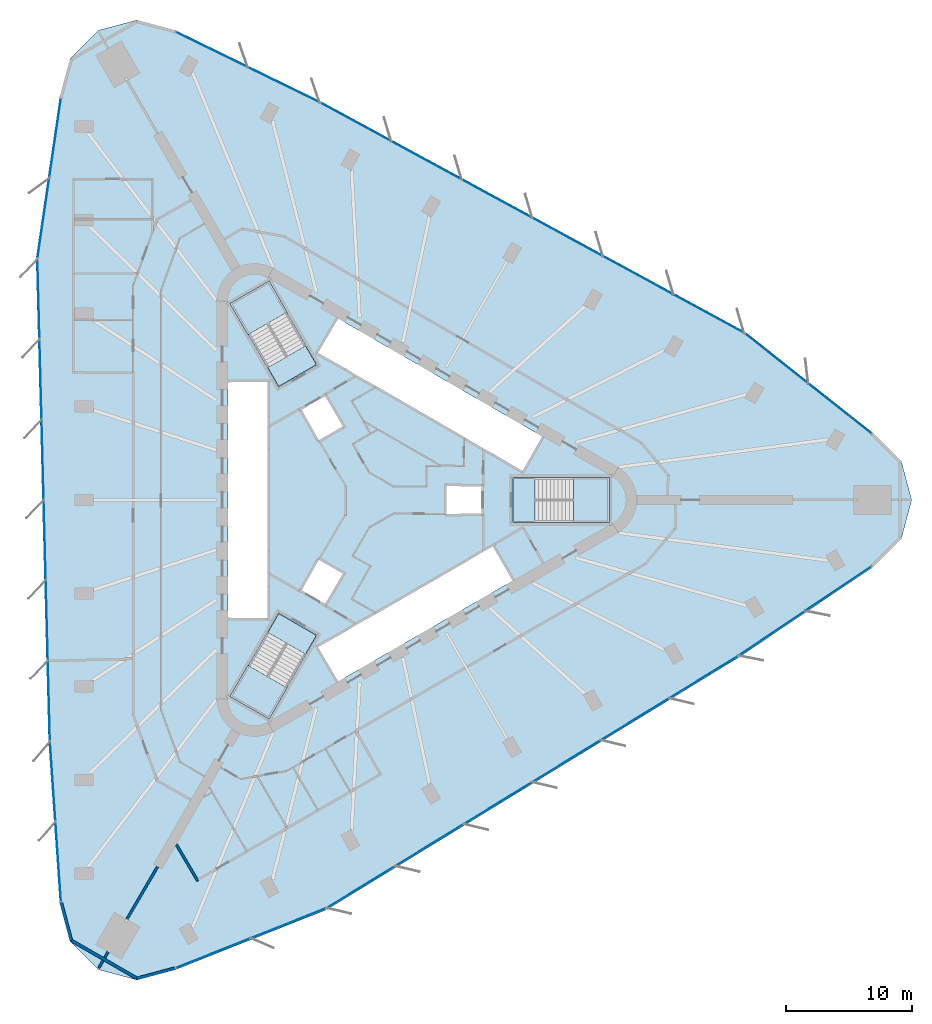
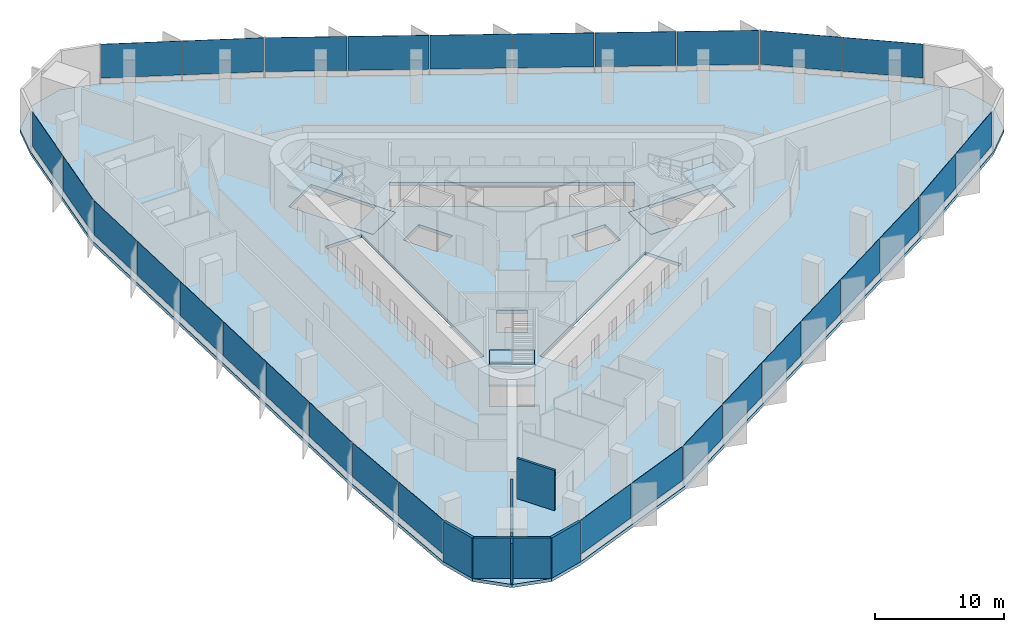
# One storey, part 7 of 14: 30 plates, 7 slabs, 7 walls, 12 elements without a shape of their own.
"""IFC4 building model written with IfcOpenShell, lengths in metres."""

import ifcopenshell
import ifcopenshell.guid

model = None  # the IFC model being written
_history = None  # IfcOwnerHistory: only IFC2X3 demands one
_inside = {}  # id of a spatial element -> (the spatial element, [elements in it])
_under = {}  # id of a project, library or spatial element -> (it, [spatial elements below it])
_declared = {}  # id of a project -> (the project, [libraries it declares])
_typed = {}  # id of a type object -> (the type object, [elements of that type])
_made_of = {}  # id of a material, layer set ... -> (it, [elements and type objects made of it])


def new_model(schema):
    """Start an empty IFC model of exactly this schema.

    Asked for "IFC4X3", IfcOpenShell would pick the latest addendum, in which some entities
    have other attributes; the version numbers below select the first issue.
    IFC2X3 requires an IfcOwnerHistory on every rooted entity: one is made here for all.
    """
    global model, _history
    if schema == "IFC4X3":
        model = ifcopenshell.file(schema_version=(4, 3, 0, 0))
    else:
        model = ifcopenshell.file(schema=schema)
    _inside.clear()
    _under.clear()
    _declared.clear()
    _typed.clear()
    _made_of.clear()
    _history = None
    if model.schema == "IFC2X3":
        org = make("IfcOrganization", Name="unknown")
        user = make(
            "IfcPersonAndOrganization",
            ThePerson=make("IfcPerson", FamilyName="unknown"),
            TheOrganization=org,
        )
        app = make(
            "IfcApplication",
            ApplicationDeveloper=org,
            Version="unknown",
            ApplicationFullName="unknown",
            ApplicationIdentifier="unknown",
        )
        _history = make(
            "IfcOwnerHistory",
            OwningUser=user,
            OwningApplication=app,
            ChangeAction="ADDED",
            CreationDate=0,
        )
    return model


def make(cls, **values):
    """One entity of the class cls with the attributes given. An attribute that is None is left unset."""
    return model.create_entity(
        cls, **{name: value for name, value in values.items() if value is not None}
    )


def rooted(cls, **values):
    """An entity with a GlobalId (a new one), such as an element, a storey or a relation."""
    return make(cls, GlobalId=ifcopenshell.guid.new(), OwnerHistory=_history, **values)


def si_unit(unit_type, name, prefix=None):
    """IfcSIUnit, for example si_unit("LENGTHUNIT", "METRE", prefix="MILLI")."""
    return make("IfcSIUnit", UnitType=unit_type, Prefix=prefix, Name=name)


def assignment(units):
    """IfcUnitAssignment: the units of a project."""
    return None if units is None else make("IfcUnitAssignment", Units=units)


def point(xyz):
    """IfcCartesianPoint."""
    return None if xyz is None else make("IfcCartesianPoint", Coordinates=xyz)


def direction(xyz):
    """IfcDirection."""
    return None if xyz is None else make("IfcDirection", DirectionRatios=xyz)


def frame(location, z_axis=None, x_axis=None):
    """IfcAxis2Placement3D, a coordinate frame: its origin and axes. An axis left out is left unset."""
    return make(
        "IfcAxis2Placement3D",
        Location=point(location),
        Axis=direction(z_axis),
        RefDirection=direction(x_axis),
    )


def frame_2d(location, x_axis=None):
    """IfcAxis2Placement2D, a coordinate frame in the plane: its origin and x axis."""
    return make(
        "IfcAxis2Placement2D", Location=point(location), RefDirection=direction(x_axis)
    )


def origin():
    """The frame at (0, 0, 0) with its axes left unset."""
    return frame((0.0, 0.0, 0.0))


def origin_2d():
    """The frame at (0, 0) in the plane with its x axis left unset."""
    return frame_2d((0.0, 0.0))


def place(relative_to, where):
    """IfcLocalPlacement: puts the frame where relative to a parent placement (None: the world)."""
    return make(
        "IfcLocalPlacement", PlacementRelTo=relative_to, RelativePlacement=where
    )


def context(
    kind, dimensions, precision=None, world=None, true_north=None, identifier=None
):
    """IfcGeometricRepresentationContext, for example the 3D "Model" context."""
    return make(
        "IfcGeometricRepresentationContext",
        ContextIdentifier=identifier,
        ContextType=kind,
        CoordinateSpaceDimension=dimensions,
        Precision=precision,
        WorldCoordinateSystem=world,
        TrueNorth=true_north,
    )


def subcontext(parent, identifier, kind, view, scale=None):
    """IfcGeometricRepresentationSubContext, for example "Body" below "Model"."""
    return make(
        "IfcGeometricRepresentationSubContext",
        ContextIdentifier=identifier,
        ContextType=kind,
        ParentContext=parent,
        TargetScale=scale,
        TargetView=view,
    )


def project(units=None, contexts=None):
    """IfcProject with its units and contexts."""
    return rooted(
        "IfcProject",
        Name="project",
        RepresentationContexts=contexts,
        UnitsInContext=assignment(units),
    )


def spatial(cls, under=None, at=None, **own):
    """A site, building, storey or space (cls), placed at a placement, below another one or the project."""
    s = rooted(cls, ObjectPlacement=at, **own)
    if under is not None:
        _under.setdefault(under.id(), (under, []))[1].append(s)
    return s


def polyline(points):
    """IfcPolyline through the points."""
    return make("IfcPolyline", Points=[point(p) for p in points])


def profile(cls, at=None, kind="AREA", **sizes):
    """A parametric profile (cls). Its sizes go by their IFC names, for example OverallWidth=200.0."""
    return make(cls, ProfileType=kind, Position=at, **sizes)


def rectangle(**sizes):
    """IfcRectangleProfileDef."""
    return profile("IfcRectangleProfileDef", **sizes)


def outline(outer, holes=None, kind="AREA"):
    """IfcArbitraryClosedProfileDef: a profile drawn as a closed curve; with holes, ...WithVoids."""
    if holes is None:
        return make("IfcArbitraryClosedProfileDef", ProfileType=kind, OuterCurve=outer)
    return make(
        "IfcArbitraryProfileDefWithVoids",
        ProfileType=kind,
        OuterCurve=outer,
        InnerCurves=holes,
    )


def extrude(swept, where, along, depth):
    """IfcExtrudedAreaSolid: the profile swept, set in the frame where, extruded along a direction by depth."""
    return make(
        "IfcExtrudedAreaSolid",
        SweptArea=swept,
        Position=where,
        ExtrudedDirection=direction(along),
        Depth=depth,
    )


def shape(context_of_items, identifier, shape_type, items):
    """IfcShapeRepresentation: the items that make up one representation, for example the "Body"."""
    return make(
        "IfcShapeRepresentation",
        ContextOfItems=context_of_items,
        RepresentationIdentifier=identifier,
        RepresentationType=shape_type,
        Items=items,
    )


def material(Name=None, Category=None):
    """IfcMaterial."""
    return make("IfcMaterial", Name=Name, Category=Category)


def layer(
    of_material, thickness, ventilated=None, Name=None, Category=None, Priority=None
):
    """IfcMaterialLayer: one layer of a wall or slab, of a material (None: an air gap)."""
    return make(
        "IfcMaterialLayer",
        Material=of_material,
        LayerThickness=thickness,
        IsVentilated=ventilated,
        Name=Name,
        Category=Category,
        Priority=Priority,
    )


def layer_set(layers, Name=None):
    """IfcMaterialLayerSet."""
    return make("IfcMaterialLayerSet", MaterialLayers=layers, LayerSetName=Name)


def made_of(thing, what):
    """Note that an element or type object is made of a material, layer set ...; save() writes the relation."""
    if what is not None:
        _made_of.setdefault(what.id(), (what, []))[1].append(thing)
    return thing


def type_object(cls, material=None, **own):
    """A type object (cls), such as IfcWallType, which elements share."""
    return made_of(rooted(cls, **own), material)


def element(
    cls,
    number,
    at=None,
    inside=None,
    cuts=None,
    type_object=None,
    material=None,
    context=None,
    identifier="Body",
    shape_type=None,
    held_by="IfcProductDefinitionShape",
    body=None,
    shapes=None,
    **own,
):
    """One element of the class cls, such as IfcWall. Its Tag is "e" and its number.

    at: its placement. inside: the storey or other place that contains it. cuts: it is an
    opening in that element (IfcRelVoidsElement). A single representation is given by context,
    identifier, shape_type and body (its items); several are given by shapes. held_by: the class
    of the entity that holds the representations. save() writes the other relations.
    """
    e = rooted(cls, Tag="e%d" % number, ObjectPlacement=at, **own)
    if body is not None:
        shapes = [shape(context, identifier, shape_type, body)]
    if shapes is not None:
        e.Representation = make(held_by, Representations=shapes)
    if inside is not None:
        _inside.setdefault(inside.id(), (inside, []))[1].append(e)
    if cuts is not None:
        rooted(
            "IfcRelVoidsElement", RelatingBuildingElement=cuts, RelatedOpeningElement=e
        )
    if type_object is not None:
        _typed.setdefault(type_object.id(), (type_object, []))[1].append(e)
    return made_of(e, material)


def aggregate(whole, parts):
    """IfcRelAggregates: a whole, such as a stair, and the parts it consists of."""
    return rooted("IfcRelAggregates", RelatingObject=whole, RelatedObjects=parts)


def save(model, path):
    """Write the relations noted so far, then the file.

    IfcRelAggregates (storeys below a building ...), IfcRelContainedInSpatialStructure (elements
    in a storey), IfcRelDefinesByType, IfcRelAssociatesMaterial and IfcRelDeclares: one each for
    every whole, place, type object, material and project.
    """
    for whole, parts in _under.values():
        aggregate(whole, parts)
    for where, things in _inside.values():
        rooted(
            "IfcRelContainedInSpatialStructure",
            RelatedElements=things,
            RelatingStructure=where,
        )
    for kind, things in _typed.values():
        rooted("IfcRelDefinesByType", RelatedObjects=things, RelatingType=kind)
    for what, things in _made_of.values():
        rooted("IfcRelAssociatesMaterial", RelatedObjects=things, RelatingMaterial=what)
    for by, libraries in _declared.values():
        rooted("IfcRelDeclares", RelatingContext=by, RelatedDefinitions=libraries)
    model.write(path)


model = new_model("IFC4")

# Units and contexts
model_context = context("Model", 3, precision=1e-05, world=origin(), true_north=direction((0.0, 1.0)))
body_context = subcontext(model_context, "Body", "Model", "MODEL_VIEW")
ifc_project = project(units=[si_unit("LENGTHUNIT", "METRE"), si_unit("AREAUNIT", "SQUARE_METRE"), si_unit("VOLUMEUNIT", "CUBIC_METRE"), si_unit("PLANEANGLEUNIT", "RADIAN"), si_unit("MASSUNIT", "GRAM", prefix="KILO")], contexts=[model_context])

# Site, building, storey
site_placement = place(None, origin())
site = spatial("IfcSite", under=ifc_project, at=site_placement, CompositionType="ELEMENT")
building_placement = place(site_placement, origin())
building = spatial("IfcBuilding", under=site, at=building_placement, Name="Tanit Gate Tower", CompositionType="ELEMENT")
storey_placement = place(building_placement, frame((0.0, 0.0, 143.89990234375)))
storey = spatial("IfcBuildingStorey", under=building, at=storey_placement, Name="L31", CompositionType="ELEMENT", Elevation=143.89990234375)

# Slab
ifc_material_1 = material(Name="Concrete C35/45", Category="concrete")
ifc_layer_1 = layer(ifc_material_1, 0.300048828125)
ifc_layer_set_1 = layer_set([ifc_layer_1], Name="FLOOR SLAB 300 C35/45")
slab_type_1 = type_object("IfcSlabType", Name="FLOOR SLAB 300 C35/45", PredefinedType="FLOOR", material=ifc_layer_set_1)
slab_1_placement = place(storey_placement, frame((0.0, 0.0, -0.2998046875)))
element("IfcSlab", 1, at=slab_1_placement, inside=storey, type_object=slab_type_1, Name="FLOOR SLAB L31", PredefinedType="FLOOR", context=body_context, shape_type="SweptSolid", body=[
    extrude(outline(polyline([(39.86279296875, 5.312744140625), (42.1083984375, 3.0673828125), (42.93017578125, 0.0), (42.1083984375, -3.0673828125), (39.86279296875, -5.312744140625), (29.263916015625, -12.447509765625), (-3.356201171875, -32.425537109375), (-15.330322265625, -37.1787109375), (-18.397705078125, -38.00048828125), (-21.465087890625, -37.1787109375), (-23.71044921875, -34.93310546875), (-24.532470703125, -31.86572265625), (-25.41162109375, -19.119384765625), (-26.4033203125, 19.119384765625), (-24.532470703125, 31.86572265625), (-23.71044921875, 34.93310546875), (-21.465087890625, 37.1787109375), (-18.397705078125, 38.00048828125), (-15.330322265625, 37.1787109375), (-3.85205078125, 31.56689453125), (29.759521484375, 13.30615234375), (39.86279296875, 5.312744140625)]), holes=[polyline([(11.3701171875, 1.72998046875), (18.929931640625, 1.72998046875), (18.929931640625, -1.72998046875), (11.3701171875, -1.72998046875), (11.3701171875, 1.72998046875)]), polyline([(-4.208984375, 11.60986328125), (-2.583984375, 14.424560546875), (13.783935546875, 4.974609375), (12.158935546875, 2.159912109375), (-4.208984375, 11.60986328125)]), polyline([(-4.208984375, -11.60986328125), (9.82080078125, -3.510009765625), (11.44580078125, -6.324462890625), (-2.583984375, -14.424560546875), (-4.208984375, -11.60986328125)]), polyline([(9.0, 1.199951171875), (9.0, -1.199951171875), (6.0, -1.199951171875), (6.0, 1.199951171875), (9.0, 1.199951171875)]), polyline([(-5.539306640625, 7.194091796875), (-3.460693359375, 8.394287109375), (-1.960693359375, 5.796142578125), (-4.039306640625, 4.59619140625), (-5.539306640625, 7.194091796875)]), polyline([(-1.960693359375, -5.796142578125), (-3.460693359375, -8.394287109375), (-5.539306640625, -7.194091796875), (-4.039306640625, -4.59619140625), (-1.960693359375, -5.796142578125)]), polyline([(-10.963134765625, 15.52880859375), (-7.966796875, 17.2587890625), (-4.186767578125, 10.711669921875), (-7.18310546875, 8.981689453125), (-10.963134765625, 15.52880859375)]), polyline([(-4.186767578125, -10.711669921875), (-7.966796875, -17.2587890625), (-10.963134765625, -15.52880859375), (-7.18310546875, -8.981689453125), (-4.186767578125, -10.711669921875)]), polyline([(-11.199951171875, -9.449951171875), (-11.199951171875, 9.449951171875), (-7.949951171875, 9.449951171875), (-7.949951171875, -9.449951171875), (-11.199951171875, -9.449951171875)])]), origin(), (0.0, 0.0, 1.0), 0.2998046875),
])

# Curtain wall, plates
ifc_material_2 = material(Name="Aluminium bronze anodised and glass", Category="aluminium")
curtain_wall_type = type_object("IfcCurtainWallType", Name="Curtain wall typical low", PredefinedType="NOTDEFINED", material=ifc_material_2)
curtain_wall_1_placement = place(storey_placement, origin())
curtain_wall_1 = element("IfcCurtainWall", 2, at=curtain_wall_1_placement, inside=storey, type_object=curtain_wall_type, Name="Curtain wall L31 NE1", PredefinedType="NOTDEFINED")
ifc_material_3 = material(Name="Glass tinted", Category="glass")
ifc_layer_2 = layer(ifc_material_3, 0.031982421875)
ifc_layer_set_2 = layer_set([ifc_layer_2], Name="Glass panel 32 typical low")
plate_type = type_object("IfcPlateType", Name="Glass panel 32 typical low", PredefinedType="CURTAIN_PANEL", material=ifc_layer_set_2)
plate_1_placement = place(storey_placement, frame((37.244873046875, 7.231201171875, 0.60009765625), z_axis=(0.0, 0.0, 1.0), x_axis=(-0.784236570072, 0.620461926441, 0.0)))
plate_1 = element("IfcPlate", 3, at=plate_1_placement, type_object=plate_type, Name="Glass panel L31 NE1.1", PredefinedType="CURTAIN_PANEL", context=body_context, shape_type="SweptSolid", body=[
    extrude(rectangle(XDim=6.312744140625, YDim=0.031982421875, at=origin_2d()), origin(), (0.0, 0.0, 1.0), 3.199951171875),
])
plate_2_placement = place(storey_placement, frame((32.231201171875, 11.197509765625, 0.60009765625), z_axis=(0.0, 0.0, 1.0), x_axis=(-0.784236570072, 0.620461926441, 0.0)))
plate_2 = element("IfcPlate", 4, at=plate_2_placement, type_object=plate_type, Name="Glass panel L31 NE1.2", PredefinedType="CURTAIN_PANEL", context=body_context, shape_type="SweptSolid", body=[
    extrude(rectangle(XDim=6.312744140625, YDim=0.031982421875, at=origin_2d()), origin(), (0.0, 0.0, 1.0), 3.199951171875),
])
aggregate(curtain_wall_1, [plate_1, plate_2])

curtain_wall_2_placement = place(storey_placement, origin())
curtain_wall_2 = element("IfcCurtainWall", 5, at=curtain_wall_2_placement, inside=storey, type_object=curtain_wall_type, Name="Curtain wall L31 NE2", PredefinedType="NOTDEFINED")
plate_3_placement = place(storey_placement, frame((26.864013671875, 14.74267578125, 0.60009765625), z_axis=(0.0, 0.0, 1.0), x_axis=(-0.87869633876, 0.477381131015, 0.0)))
plate_3 = element("IfcPlate", 6, at=plate_3_placement, type_object=plate_type, Name="Glass panel L31 NE2.1", PredefinedType="CURTAIN_PANEL", context=body_context, shape_type="SweptSolid", body=[
    extrude(rectangle(XDim=6.27978515625, YDim=0.031982421875, at=origin_2d()), origin(), (0.0, 0.0, 1.0), 3.199951171875),
])
plate_4_placement = place(storey_placement, frame((21.275634765625, 17.77880859375, 0.60009765625), z_axis=(0.0, 0.0, 1.0), x_axis=(-0.87869633876, 0.477381131015, 0.0)))
plate_4 = element("IfcPlate", 7, at=plate_4_placement, type_object=plate_type, Name="Glass panel L31 NE2.2", PredefinedType="CURTAIN_PANEL", context=body_context, shape_type="SweptSolid", body=[
    extrude(rectangle(XDim=6.27978515625, YDim=0.031982421875, at=origin_2d()), origin(), (0.0, 0.0, 1.0), 3.199951171875),
])
plate_5_placement = place(storey_placement, frame((15.687255859375, 20.81494140625, 0.60009765625), z_axis=(0.0, 0.0, 1.0), x_axis=(-0.87869633876, 0.477381131015, 0.0)))
plate_5 = element("IfcPlate", 8, at=plate_5_placement, type_object=plate_type, Name="Glass panel L31 NE2.3", PredefinedType="CURTAIN_PANEL", context=body_context, shape_type="SweptSolid", body=[
    extrude(rectangle(XDim=6.27978515625, YDim=0.031982421875, at=origin_2d()), origin(), (0.0, 0.0, 1.0), 3.199951171875),
])
plate_6_placement = place(storey_placement, frame((10.098876953125, 23.850830078125, 0.60009765625), z_axis=(0.0, 0.0, 1.0), x_axis=(-0.87869633876, 0.477381131015, 0.0)))
plate_6 = element("IfcPlate", 9, at=plate_6_placement, type_object=plate_type, Name="Glass panel L31 NE2.4", PredefinedType="CURTAIN_PANEL", context=body_context, shape_type="SweptSolid", body=[
    extrude(rectangle(XDim=6.27978515625, YDim=0.031982421875, at=origin_2d()), origin(), (0.0, 0.0, 1.0), 3.199951171875),
])
plate_7_placement = place(storey_placement, frame((4.510498046875, 26.886962890625, 0.60009765625), z_axis=(0.0, 0.0, 1.0), x_axis=(-0.87869633876, 0.477381131015, 0.0)))
plate_7 = element("IfcPlate", 10, at=plate_7_placement, type_object=plate_type, Name="Glass panel L31 NE2.5", PredefinedType="CURTAIN_PANEL", context=body_context, shape_type="SweptSolid", body=[
    extrude(rectangle(XDim=6.27978515625, YDim=0.031982421875, at=origin_2d()), origin(), (0.0, 0.0, 1.0), 3.199951171875),
])
plate_8_placement = place(storey_placement, frame((-1.077880859375, 29.923095703125, 0.60009765625), z_axis=(0.0, 0.0, 1.0), x_axis=(-0.87869633876, 0.477381131015, 0.0)))
plate_8 = element("IfcPlate", 11, at=plate_8_placement, type_object=plate_type, Name="Glass panel L31 NE2.6", PredefinedType="CURTAIN_PANEL", context=body_context, shape_type="SweptSolid", body=[
    extrude(rectangle(XDim=6.27978515625, YDim=0.031982421875, at=origin_2d()), origin(), (0.0, 0.0, 1.0), 3.199951171875),
])
aggregate(curtain_wall_2, [plate_3, plate_4, plate_5, plate_6, plate_7, plate_8])

curtain_wall_3_placement = place(storey_placement, origin())
curtain_wall_3 = element("IfcCurtainWall", 12, at=curtain_wall_3_placement, inside=storey, type_object=curtain_wall_type, Name="Curtain wall L31 NE3", PredefinedType="NOTDEFINED")
plate_9_placement = place(storey_placement, frame((-6.79150390625, 32.870361328125, 0.60009765625), z_axis=(0.0, 0.0, 1.0), x_axis=(-0.898378505886, 0.439222108006, 0.0)))
plate_9 = element("IfcPlate", 13, at=plate_9_placement, type_object=plate_type, Name="Glass panel L31 NE3.1", PredefinedType="CURTAIN_PANEL", context=body_context, shape_type="SweptSolid", body=[
    extrude(rectangle(XDim=6.26123046875, YDim=0.031982421875, at=origin_2d()), origin(), (0.0, 0.0, 1.0), 3.199951171875),
])
plate_10_placement = place(storey_placement, frame((-12.48828125, 35.655517578125, 0.60009765625), z_axis=(0.0, 0.0, 1.0), x_axis=(-0.898378505886, 0.439222108006, 0.0)))
plate_10 = element("IfcPlate", 14, at=plate_10_placement, type_object=plate_type, Name="Glass panel L31 NE3.2", PredefinedType="CURTAIN_PANEL", context=body_context, shape_type="SweptSolid", body=[
    extrude(rectangle(XDim=6.26123046875, YDim=0.031982421875, at=origin_2d()), origin(), (0.0, 0.0, 1.0), 3.199951171875),
])
aggregate(curtain_wall_3, [plate_9, plate_10])

curtain_wall_4_placement = place(storey_placement, origin())
curtain_wall_4 = element("IfcCurtainWall", 15, at=curtain_wall_4_placement, inside=storey, type_object=curtain_wall_type, Name="Curtain wall L31 W1", PredefinedType="NOTDEFINED")
plate_11_placement = place(storey_placement, frame((-24.884765625, 28.639404296875, 0.60009765625), z_axis=(0.0, 0.0, 1.0), x_axis=(-0.145217505343, -0.989399755479, 0.0)))
plate_11 = element("IfcPlate", 16, at=plate_11_placement, type_object=plate_type, Name="Glass panel L31 W1.1", PredefinedType="CURTAIN_PANEL", context=body_context, shape_type="SweptSolid", body=[
    extrude(rectangle(XDim=6.312744140625, YDim=0.031982421875, at=origin_2d()), origin(), (0.0, 0.0, 1.0), 3.199951171875),
])
plate_12_placement = place(storey_placement, frame((-25.81298828125, 22.314453125, 0.60009765625), z_axis=(0.0, 0.0, 1.0), x_axis=(-0.145217505343, -0.989399755479, 0.0)))
plate_12 = element("IfcPlate", 17, at=plate_12_placement, type_object=plate_type, Name="Glass panel L31 W1.2", PredefinedType="CURTAIN_PANEL", context=body_context, shape_type="SweptSolid", body=[
    extrude(rectangle(XDim=6.312744140625, YDim=0.031982421875, at=origin_2d()), origin(), (0.0, 0.0, 1.0), 3.199951171875),
])
aggregate(curtain_wall_4, [plate_11, plate_12])

curtain_wall_5_placement = place(storey_placement, origin())
curtain_wall_5 = element("IfcCurtainWall", 18, at=curtain_wall_5_placement, inside=storey, type_object=curtain_wall_type, Name="Curtain wall L31 W2", PredefinedType="NOTDEFINED")
plate_13_placement = place(storey_placement, frame((-26.199462890625, 15.8935546875, 0.60009765625), z_axis=(0.0, 0.0, 1.0), x_axis=(0.025923982634, -0.999663917086, 0.0)))
plate_13 = element("IfcPlate", 19, at=plate_13_placement, type_object=plate_type, Name="Glass panel L31 W2.1", PredefinedType="CURTAIN_PANEL", context=body_context, shape_type="SweptSolid", body=[
    extrude(rectangle(XDim=6.27978515625, YDim=0.031982421875, at=origin_2d()), origin(), (0.0, 0.0, 1.0), 3.199951171875),
])
plate_14_placement = place(storey_placement, frame((-26.03466796875, 9.535888671875, 0.60009765625), z_axis=(0.0, 0.0, 1.0), x_axis=(0.025923982634, -0.999663917086, 0.0)))
plate_14 = element("IfcPlate", 20, at=plate_14_placement, type_object=plate_type, Name="Glass panel L31 W2.2", PredefinedType="CURTAIN_PANEL", context=body_context, shape_type="SweptSolid", body=[
    extrude(rectangle(XDim=6.27978515625, YDim=0.031982421875, at=origin_2d()), origin(), (0.0, 0.0, 1.0), 3.199951171875),
])
plate_15_placement = place(storey_placement, frame((-25.869873046875, 3.177978515625, 0.60009765625), z_axis=(0.0, 0.0, 1.0), x_axis=(0.025923982634, -0.999663917086, 0.0)))
plate_15 = element("IfcPlate", 21, at=plate_15_placement, type_object=plate_type, Name="Glass panel L31 W2.3", PredefinedType="CURTAIN_PANEL", context=body_context, shape_type="SweptSolid", body=[
    extrude(rectangle(XDim=6.27978515625, YDim=0.031982421875, at=origin_2d()), origin(), (0.0, 0.0, 1.0), 3.199951171875),
])
plate_16_placement = place(storey_placement, frame((-25.704833984375, -3.1796875, 0.60009765625), z_axis=(0.0, 0.0, 1.0), x_axis=(0.025923982634, -0.999663917086, 0.0)))
plate_16 = element("IfcPlate", 22, at=plate_16_placement, type_object=plate_type, Name="Glass panel L31 W2.4", PredefinedType="CURTAIN_PANEL", context=body_context, shape_type="SweptSolid", body=[
    extrude(rectangle(XDim=6.27978515625, YDim=0.031982421875, at=origin_2d()), origin(), (0.0, 0.0, 1.0), 3.199951171875),
])
plate_17_placement = place(storey_placement, frame((-25.5400390625, -9.537353515625, 0.60009765625), z_axis=(0.0, 0.0, 1.0), x_axis=(0.025923982634, -0.999663917086, 0.0)))
plate_17 = element("IfcPlate", 23, at=plate_17_placement, type_object=plate_type, Name="Glass panel L31 W2.5", PredefinedType="CURTAIN_PANEL", context=body_context, shape_type="SweptSolid", body=[
    extrude(rectangle(XDim=6.27978515625, YDim=0.031982421875, at=origin_2d()), origin(), (0.0, 0.0, 1.0), 3.199951171875),
])
plate_18_placement = place(storey_placement, frame((-25.375244140625, -15.89501953125, 0.60009765625), z_axis=(0.0, 0.0, 1.0), x_axis=(0.025923982634, -0.999663917086, 0.0)))
plate_18 = element("IfcPlate", 24, at=plate_18_placement, type_object=plate_type, Name="Glass panel L31 W2.6", PredefinedType="CURTAIN_PANEL", context=body_context, shape_type="SweptSolid", body=[
    extrude(rectangle(XDim=6.27978515625, YDim=0.031982421875, at=origin_2d()), origin(), (0.0, 0.0, 1.0), 3.199951171875),
])
aggregate(curtain_wall_5, [plate_13, plate_14, plate_15, plate_16, plate_17, plate_18])

curtain_wall_6_placement = place(storey_placement, origin())
curtain_wall_6 = element("IfcCurtainWall", 25, at=curtain_wall_6_placement, inside=storey, type_object=curtain_wall_type, Name="Curtain wall L31 W3", PredefinedType="NOTDEFINED")
plate_19_placement = place(storey_placement, frame((-25.07080078125, -22.31689453125, 0.60009765625), z_axis=(0.0, 0.0, 1.0), x_axis=(0.068811749506, -0.997629662315, 0.0)))
plate_19 = element("IfcPlate", 26, at=plate_19_placement, type_object=plate_type, Name="Glass panel L31 W3.1", PredefinedType="CURTAIN_PANEL", context=body_context, shape_type="SweptSolid", body=[
    extrude(rectangle(XDim=6.26123046875, YDim=0.031982421875, at=origin_2d()), origin(), (0.0, 0.0, 1.0), 3.199951171875),
])
plate_20_placement = place(storey_placement, frame((-24.634521484375, -28.64306640625, 0.60009765625), z_axis=(0.0, 0.0, 1.0), x_axis=(0.068811749506, -0.997629662315, 0.0)))
plate_20 = element("IfcPlate", 27, at=plate_20_placement, type_object=plate_type, Name="Glass panel L31 W3.2", PredefinedType="CURTAIN_PANEL", context=body_context, shape_type="SweptSolid", body=[
    extrude(rectangle(XDim=6.26123046875, YDim=0.031982421875, at=origin_2d()), origin(), (0.0, 0.0, 1.0), 3.199951171875),
])
aggregate(curtain_wall_6, [plate_19, plate_20])

curtain_wall_7_placement = place(storey_placement, origin())
curtain_wall_7 = element("IfcCurtainWall", 28, at=curtain_wall_7_placement, inside=storey, type_object=curtain_wall_type, Name="Curtain wall L31 SE1", PredefinedType="NOTDEFINED")
plate_21_placement = place(storey_placement, frame((-12.360107421875, -35.870361328125, 0.60009765625), z_axis=(0.0, 0.0, 1.0), x_axis=(0.929454075414, 0.368937829038, 0.0)))
plate_21 = element("IfcPlate", 29, at=plate_21_placement, type_object=plate_type, Name="Glass panel L31 SE1.1", PredefinedType="CURTAIN_PANEL", context=body_context, shape_type="SweptSolid", body=[
    extrude(rectangle(XDim=6.312744140625, YDim=0.031982421875, at=origin_2d()), origin(), (0.0, 0.0, 1.0), 3.199951171875),
])
plate_22_placement = place(storey_placement, frame((-6.418212890625, -33.511962890625, 0.60009765625), z_axis=(0.0, 0.0, 1.0), x_axis=(0.929454075414, 0.368937829038, 0.0)))
plate_22 = element("IfcPlate", 30, at=plate_22_placement, type_object=plate_type, Name="Glass panel L31 SE1.2", PredefinedType="CURTAIN_PANEL", context=body_context, shape_type="SweptSolid", body=[
    extrude(rectangle(XDim=6.312744140625, YDim=0.031982421875, at=origin_2d()), origin(), (0.0, 0.0, 1.0), 3.199951171875),
])
aggregate(curtain_wall_7, [plate_21, plate_22])

curtain_wall_8_placement = place(storey_placement, origin())
curtain_wall_8 = element("IfcCurtainWall", 31, at=curtain_wall_8_placement, inside=storey, type_object=curtain_wall_type, Name="Curtain wall L31 SE2", PredefinedType="NOTDEFINED")
plate_23_placement = place(storey_placement, frame((-0.664306640625, -30.63623046875, 0.60009765625), z_axis=(0.0, 0.0, 1.0), x_axis=(0.852772356127, 0.522282786071, 0.0)))
plate_23 = element("IfcPlate", 32, at=plate_23_placement, type_object=plate_type, Name="Glass panel L31 SE2.1", PredefinedType="CURTAIN_PANEL", context=body_context, shape_type="SweptSolid", body=[
    extrude(rectangle(XDim=6.27978515625, YDim=0.031982421875, at=origin_2d()), origin(), (0.0, 0.0, 1.0), 3.199951171875),
])
plate_24_placement = place(storey_placement, frame((4.759033203125, -27.314697265625, 0.60009765625), z_axis=(0.0, 0.0, 1.0), x_axis=(0.852772356127, 0.522282786071, 0.0)))
plate_24 = element("IfcPlate", 33, at=plate_24_placement, type_object=plate_type, Name="Glass panel L31 SE2.2", PredefinedType="CURTAIN_PANEL", context=body_context, shape_type="SweptSolid", body=[
    extrude(rectangle(XDim=6.27978515625, YDim=0.031982421875, at=origin_2d()), origin(), (0.0, 0.0, 1.0), 3.199951171875),
])
plate_25_placement = place(storey_placement, frame((10.1826171875, -23.992919921875, 0.60009765625), z_axis=(0.0, 0.0, 1.0), x_axis=(0.852772356127, 0.522282786071, 0.0)))
plate_25 = element("IfcPlate", 34, at=plate_25_placement, type_object=plate_type, Name="Glass panel L31 SE2.3", PredefinedType="CURTAIN_PANEL", context=body_context, shape_type="SweptSolid", body=[
    extrude(rectangle(XDim=6.27978515625, YDim=0.031982421875, at=origin_2d()), origin(), (0.0, 0.0, 1.0), 3.199951171875),
])
plate_26_placement = place(storey_placement, frame((15.606201171875, -20.67138671875, 0.60009765625), z_axis=(0.0, 0.0, 1.0), x_axis=(0.852772356127, 0.522282786071, 0.0)))
plate_26 = element("IfcPlate", 35, at=plate_26_placement, type_object=plate_type, Name="Glass panel L31 SE2.4", PredefinedType="CURTAIN_PANEL", context=body_context, shape_type="SweptSolid", body=[
    extrude(rectangle(XDim=6.27978515625, YDim=0.031982421875, at=origin_2d()), origin(), (0.0, 0.0, 1.0), 3.199951171875),
])
plate_27_placement = place(storey_placement, frame((21.029541015625, -17.349609375, 0.60009765625), z_axis=(0.0, 0.0, 1.0), x_axis=(0.852772356127, 0.522282786071, 0.0)))
plate_27 = element("IfcPlate", 36, at=plate_27_placement, type_object=plate_type, Name="Glass panel L31 SE2.5", PredefinedType="CURTAIN_PANEL", context=body_context, shape_type="SweptSolid", body=[
    extrude(rectangle(XDim=6.27978515625, YDim=0.031982421875, at=origin_2d()), origin(), (0.0, 0.0, 1.0), 3.199951171875),
])
plate_28_placement = place(storey_placement, frame((26.453125, -14.028076171875, 0.60009765625), z_axis=(0.0, 0.0, 1.0), x_axis=(0.852772356127, 0.522282786071, 0.0)))
plate_28 = element("IfcPlate", 37, at=plate_28_placement, type_object=plate_type, Name="Glass panel L31 SE2.6", PredefinedType="CURTAIN_PANEL", context=body_context, shape_type="SweptSolid", body=[
    extrude(rectangle(XDim=6.27978515625, YDim=0.031982421875, at=origin_2d()), origin(), (0.0, 0.0, 1.0), 3.199951171875),
])
aggregate(curtain_wall_8, [plate_23, plate_24, plate_25, plate_26, plate_27, plate_28])

curtain_wall_9_placement = place(storey_placement, origin())
curtain_wall_9 = element("IfcCurtainWall", 38, at=curtain_wall_9_placement, inside=storey, type_object=curtain_wall_type, Name="Curtain wall L31 SE3", PredefinedType="NOTDEFINED")
plate_29_placement = place(storey_placement, frame((31.8623046875, -10.553466796875, 0.60009765625), z_axis=(0.0, 0.0, 1.0), x_axis=(0.82956675638, 0.558407554309, 0.0)))
plate_29 = element("IfcPlate", 39, at=plate_29_placement, type_object=plate_type, Name="Glass panel L31 SE3.1", PredefinedType="CURTAIN_PANEL", context=body_context, shape_type="SweptSolid", body=[
    extrude(rectangle(XDim=6.26123046875, YDim=0.031982421875, at=origin_2d()), origin(), (0.0, 0.0, 1.0), 3.199951171875),
])
plate_30_placement = place(storey_placement, frame((37.122802734375, -7.0126953125, 0.60009765625), z_axis=(0.0, 0.0, 1.0), x_axis=(0.82956675638, 0.558407554309, 0.0)))
plate_30 = element("IfcPlate", 40, at=plate_30_placement, type_object=plate_type, Name="Glass panel L31 SE3.2", PredefinedType="CURTAIN_PANEL", context=body_context, shape_type="SweptSolid", body=[
    extrude(rectangle(XDim=6.26123046875, YDim=0.031982421875, at=origin_2d()), origin(), (0.0, 0.0, 1.0), 3.199951171875),
])
aggregate(curtain_wall_9, [plate_29, plate_30])

# Stair, slab
ifc_material_4 = material(Name="Concrete C40/50", Category="concrete")
stair_type = type_object("IfcStairType", Name="INT-STAIR-EXIT", PredefinedType="HALF_TURN_STAIR", material=ifc_material_4)
stair_1_placement = place(storey_placement, origin())
stair_1 = element("IfcStair", 41, at=stair_1_placement, inside=storey, type_object=stair_type, Name="L31 STAIR S1", PredefinedType="HALF_TURN_STAIR")
ifc_material_5 = material(Name="Concrete C40/50", Category="concrete")
ifc_layer_3 = layer(ifc_material_5, 0.199951171875)
ifc_layer_set_3 = layer_set([ifc_layer_3], Name="INT-STAIR-LANDING")
slab_type_2 = type_object("IfcSlabType", Name="INT-STAIR-LANDING", PredefinedType="LANDING", material=ifc_layer_set_3)
slab_2_placement = place(storey_placement, frame((0.0, 0.0, 1.85009765625)))
slab_2 = element("IfcSlab", 42, at=slab_2_placement, type_object=slab_type_2, Name="S1 landing 1", PredefinedType="LANDING", context=body_context, shape_type="SweptSolid", body=[
    extrude(outline(polyline([(16.135986328125, -1.800048828125), (19.0, -1.800048828125), (19.0, 1.800048828125), (16.135986328125, 1.800048828125), (16.135986328125, -1.800048828125)])), origin(), (0.0, 0.0, 1.0), 0.199951171875),
])
aggregate(stair_1, [slab_2])

# Slab
slab_3_placement = place(storey_placement, frame((0.0, 0.0, -0.199951171875)))
element("IfcSlab", 43, at=slab_3_placement, inside=storey, type_object=slab_type_2, Name="S1 floor landing", PredefinedType="LANDING", context=body_context, shape_type="SweptSolid", body=[
    extrude(outline(polyline([(11.3798828125, -1.719970703125), (13.10498046875, -1.719970703125), (13.10498046875, 1.719970703125), (11.3798828125, 1.719970703125), (11.3798828125, -1.719970703125)])), origin(), (0.0, 0.0, 1.0), 0.199951171875),
])

# Stair, slab
stair_2_placement = place(storey_placement, origin())
stair_2 = element("IfcStair", 44, at=stair_2_placement, inside=storey, type_object=stair_type, Name="L31 STAIR S2", PredefinedType="HALF_TURN_STAIR")
slab_4_placement = place(storey_placement, frame((0.0, 0.0, 1.85009765625)))
slab_4 = element("IfcSlab", 45, at=slab_4_placement, type_object=slab_type_2, Name="S2 landing 1", PredefinedType="LANDING", context=body_context, shape_type="SweptSolid", body=[
    extrude(outline(polyline([(-6.5078125, 14.871826171875), (-7.941162109375, 17.3544921875), (-11.058837890625, 15.554443359375), (-9.62548828125, 13.07177734375), (-6.5078125, 14.871826171875)])), origin(), (0.0, 0.0, 1.0), 0.199951171875),
])
aggregate(stair_2, [slab_4])

# Slab
slab_5_placement = place(storey_placement, frame((0.0, 0.0, -0.199951171875)))
element("IfcSlab", 46, at=slab_5_placement, inside=storey, type_object=slab_type_2, Name="S2 floor landing", PredefinedType="LANDING", context=body_context, shape_type="SweptSolid", body=[
    extrude(outline(polyline([(-4.200439453125, 10.71533203125), (-5.0625, 12.20849609375), (-8.04150390625, 10.48828125), (-7.179443359375, 8.995361328125), (-4.200439453125, 10.71533203125)])), origin(), (0.0, 0.0, 1.0), 0.199951171875),
])

# Stair, slab
stair_3_placement = place(storey_placement, origin())
stair_3 = element("IfcStair", 47, at=stair_3_placement, inside=storey, type_object=stair_type, Name="L31 STAIR S3", PredefinedType="HALF_TURN_STAIR")
slab_6_placement = place(storey_placement, frame((0.0, 0.0, 1.85009765625)))
slab_6 = element("IfcSlab", 48, at=slab_6_placement, type_object=slab_type_2, Name="S3 landing 1", PredefinedType="LANDING", context=body_context, shape_type="SweptSolid", body=[
    extrude(outline(polyline([(-9.626953125, -13.07421875), (-11.058837890625, -15.554443359375), (-7.941162109375, -17.3544921875), (-6.509033203125, -14.874267578125), (-9.626953125, -13.07421875)])), origin(), (0.0, 0.0, 1.0), 0.199951171875),
])
aggregate(stair_3, [slab_6])

# Slab
slab_7_placement = place(storey_placement, frame((0.0, 0.0, -0.199951171875)))
element("IfcSlab", 49, at=slab_7_placement, inside=storey, type_object=slab_type_2, Name="S3 floor landing", PredefinedType="LANDING", context=body_context, shape_type="SweptSolid", body=[
    extrude(outline(polyline([(-7.179443359375, -8.995361328125), (-8.0419921875, -10.4892578125), (-5.06298828125, -12.209228515625), (-4.200439453125, -10.71533203125), (-7.179443359375, -8.995361328125)])), origin(), (0.0, 0.0, 1.0), 0.199951171875),
])

# Walls
ifc_material_6 = material(Name="Concrete C30/37 with bronze anodised aluminium cladding", Category="concrete")
ifc_layer_4 = layer(ifc_material_6, 0.239990234375)
ifc_layer_set_4 = layer_set([ifc_layer_4], Name="Facade wall bronze clad 240")
wall_type_1 = type_object("IfcWallType", Name="Facade wall bronze clad 240", PredefinedType="SOLIDWALL", material=ifc_layer_set_4)
wall_1_placement = place(storey_placement, frame((-24.41357421875, -31.845947265625, 0.0), z_axis=(0.0, 0.0, 1.0), x_axis=(0.258807521156, -0.965928914048, 0.0)))
element("IfcWall", 50, at=wall_1_placement, inside=storey, type_object=wall_type_1, Name="Bronze-clad facade wall L31 SW.arc1", PredefinedType="SOLIDWALL", context=body_context, shape_type="SweptSolid", body=[
    extrude(rectangle(XDim=3.1318359375, YDim=0.239990234375, at=frame_2d((1.56591796875, 0.0))), origin(), (0.0, 0.0, 1.0), 3.800048828125),
])
wall_2_placement = place(storey_placement, frame((-23.60302734375, -34.87109375, 0.0), z_axis=(0.0, 0.0, 1.0), x_axis=(0.866037453254, -0.499979129126, 0.0)))
element("IfcWall", 51, at=wall_2_placement, inside=storey, type_object=wall_type_1, Name="Bronze-clad facade wall L31 SW.arc2", PredefinedType="SOLIDWALL", context=body_context, shape_type="SweptSolid", body=[
    extrude(rectangle(XDim=6.010498046875, YDim=0.239990234375, at=frame_2d((3.00537109375, 0.0))), origin(), (0.0, 0.0, 1.0), 3.800048828125),
])
wall_3_placement = place(storey_placement, frame((-18.397705078125, -37.876220703125, 0.0), z_axis=(0.0, 0.0, 1.0), x_axis=(0.965925466837, 0.258820386593, 0.0)))
element("IfcWall", 52, at=wall_3_placement, inside=storey, type_object=wall_type_1, Name="Bronze-clad facade wall L31 SW.arc3", PredefinedType="SOLIDWALL", context=body_context, shape_type="SweptSolid", body=[
    extrude(rectangle(XDim=3.136474609375, YDim=0.239990234375, at=frame_2d((1.568359375, 0.0))), origin(), (0.0, 0.0, 1.0), 3.800048828125),
])
ifc_material_7 = material(Name="Fire-rated gypsum board partition")
ifc_layer_5 = layer(ifc_material_7, 0.199951171875)
ifc_layer_set_5 = layer_set([ifc_layer_5], Name="INT-WALL-COMPARTMENT")
wall_type_2 = type_object("IfcWallType", Name="INT-WALL-COMPARTMENT", PredefinedType="PARTITIONING", material=ifc_layer_set_5)
wall_4_placement = place(storey_placement, frame((-20.691162109375, -35.778076171875, 0.0), z_axis=(0.0, 0.0, 1.0), x_axis=(-0.500004084281, -0.866023045711, 0.0)))
element("IfcWall", 53, at=wall_4_placement, inside=storey, type_object=wall_type_2, Name="Wall Compartment W116", PredefinedType="PARTITIONING", context=body_context, shape_type="SweptSolid", body=[
    extrude(rectangle(XDim=0.55029296875, YDim=0.199951171875, at=frame_2d((0.275146484375, 0.0))), origin(), (0.0, 0.0, 1.0), 3.800048828125),
])
wall_5_placement = place(storey_placement, frame((-21.08642578125, -36.462646484375, 0.0), z_axis=(0.0, 0.0, 1.0), x_axis=(-0.499784885981, -0.866149564305, 0.0)))
element("IfcWall", 54, at=wall_5_placement, inside=storey, type_object=wall_type_2, Name="Wall Compartment W116x1", PredefinedType="PARTITIONING", context=body_context, shape_type="SweptSolid", body=[
    extrude(rectangle(XDim=0.677001953125, YDim=0.199951171875, at=frame_2d((0.33837890625, 0.0))), origin(), (0.0, 0.0, 1.0), 3.800048828125),
])
wall_6_placement = place(storey_placement, frame((-16.77587890625, -29.035888671875, 0.0), z_axis=(0.0, 0.0, 1.0), x_axis=(-0.503548187655, -0.863967142147, 0.0)))
element("IfcWall", 55, at=wall_6_placement, inside=storey, type_object=wall_type_2, Name="Wall Compartment W117", PredefinedType="PARTITIONING", context=body_context, shape_type="SweptSolid", body=[
    extrude(rectangle(XDim=4.796630859375, YDim=0.199951171875, at=frame_2d((2.3984375, 0.0))), origin(), (0.0, 0.0, 1.0), 3.3701171875),
])
wall_7_placement = place(storey_placement, frame((-15.2861328125, -27.2763671875, 0.0), z_axis=(0.0, 0.0, 1.0), x_axis=(0.506988383663, -0.861952886666, 0.0)))
element("IfcWall", 56, at=wall_7_placement, inside=storey, type_object=wall_type_2, Name="Wall Compartment W135", PredefinedType="PARTITIONING", context=body_context, shape_type="SweptSolid", body=[
    extrude(rectangle(XDim=3.361328125, YDim=0.199951171875, at=frame_2d((1.6806640625, 0.0))), origin(), (0.0, 0.0, 1.0), 3.800048828125),
])

save(model, "model.ifc")
